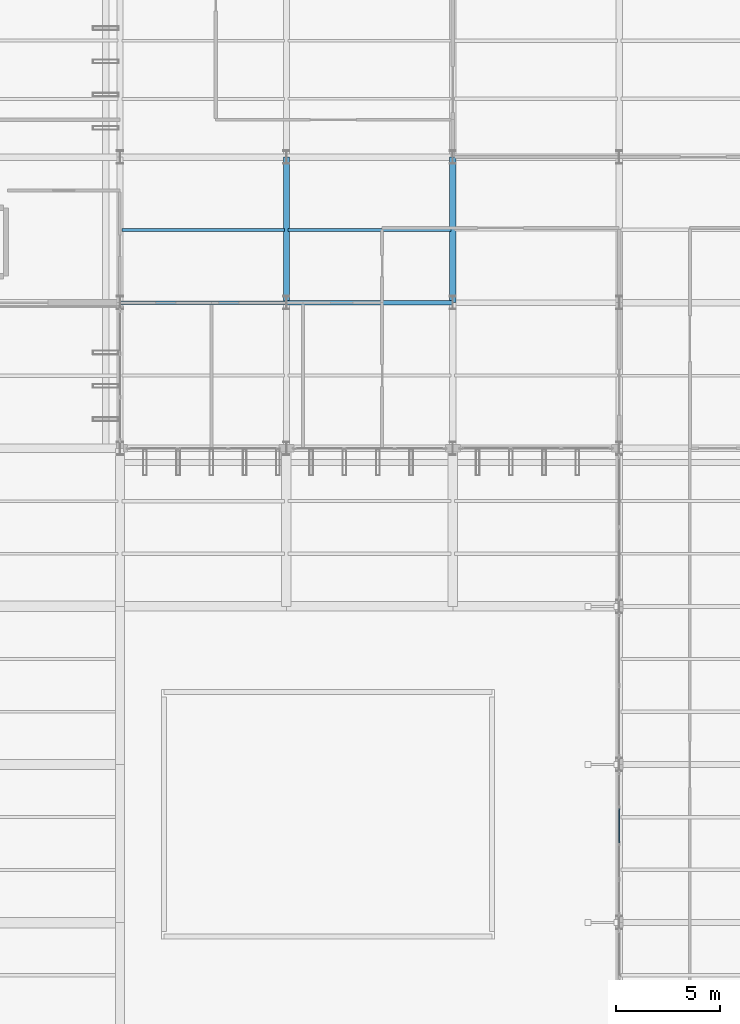
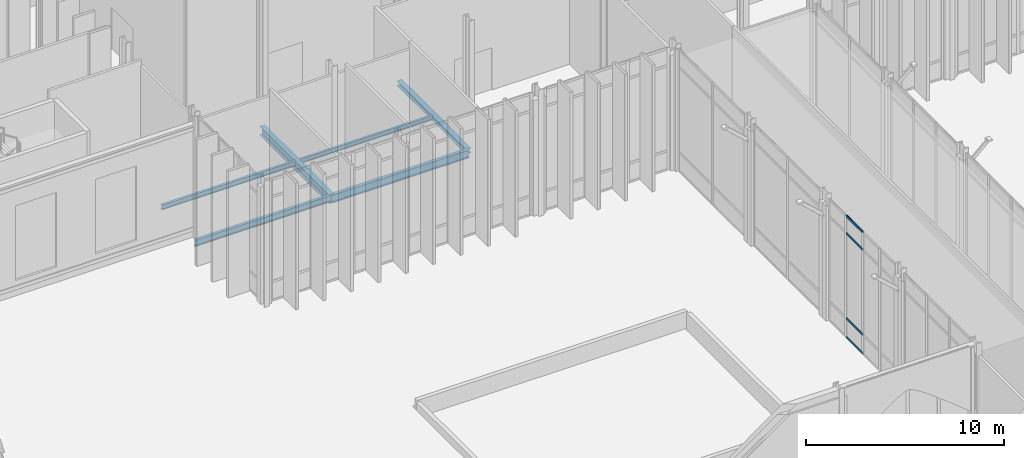
# One storey, part 44 of 176: 6 beams, 4 members, 1 element without a shape of its own.
"""IFC4 building model written with IfcOpenShell, lengths in metres."""

from ifc_helpers import new_model, si_unit, direction, frame, origin, origin_2d, place, context, subcontext, project, spatial, hollow_rectangle, i_section, extrude, material, layer, layer_set, material_profile, profile_set, type_object, element, aggregate, save


model = new_model("IFC4")

# Units and contexts
model_context = context("Model", 3, precision=1e-05, world=origin(), true_north=direction((0.0, 1.0)))
body_context = subcontext(model_context, "Body", "Model", "MODEL_VIEW")
ifc_project = project(units=[si_unit("LENGTHUNIT", "METRE"), si_unit("AREAUNIT", "SQUARE_METRE"), si_unit("VOLUMEUNIT", "CUBIC_METRE"), si_unit("PLANEANGLEUNIT", "RADIAN"), si_unit("MASSUNIT", "GRAM", prefix="KILO")], contexts=[model_context])

# Site, building, storey
site_placement = place(None, origin())
site = spatial("IfcSite", under=ifc_project, at=site_placement, CompositionType="ELEMENT")
building_placement = place(site_placement, origin())
building = spatial("IfcBuilding", under=site, at=building_placement, Name="Vekula Escarpment Museum", CompositionType="ELEMENT")
storey_placement = place(building_placement, origin())
storey = spatial("IfcBuildingStorey", under=building, at=storey_placement, Name="L01", CompositionType="ELEMENT", Elevation=0.0)

# Beams
ifc_material_1 = material(Name="Steel S355", Category="steel")
ifc_material_profile_1 = material_profile(ifc_material_1, i_section(OverallWidth=0.300048828125, OverallDepth=0.550048828125, WebThickness=0.014892578125, FlangeThickness=0.029052734375, FilletRadius=0.027099609375, at=origin_2d()), Name="HEB 550")
ifc_profile_set_1 = profile_set([ifc_material_profile_1], Name="Steel S355")
beam_type_1 = type_object("IfcBeamType", Name="BM-GIRD-HEB550", PredefinedType="BEAM", material=ifc_profile_set_1)
beam_1_placement = place(storey_placement, frame((78.0, 52.60009765625, -0.574951171875), z_axis=(0.0, 1.0, 0.0), x_axis=(-1.0, 0.0, 0.0)))
element("IfcBeam", 1, at=beam_1_placement, inside=storey, type_object=beam_type_1, Name="Beam Y L01 0556", PredefinedType="BEAM", context=body_context, shape_type="SweptSolid", body=[
    extrude(i_section(OverallWidth=0.300048828125, OverallDepth=0.550048828125, WebThickness=0.014892578125, FlangeThickness=0.029052734375, FilletRadius=0.027099609375, at=origin_2d()), origin(), (0.0, 0.0, 1.0), 7.0),
])
ifc_material_2 = material(Name="Steel S355", Category="steel")
ifc_material_profile_2 = material_profile(ifc_material_2, i_section(OverallWidth=0.179931640625, OverallDepth=0.39990234375, WebThickness=0.008544921875, FlangeThickness=0.013427734375, FilletRadius=0.02099609375, at=origin_2d()), Name="IPE 400")
ifc_profile_set_2 = profile_set([ifc_material_profile_2], Name="Steel S355")
beam_type_2 = type_object("IfcBeamType", Name="BM-GIRD-IPE400", PredefinedType="BEAM", material=ifc_profile_set_2)
beam_2_placement = place(storey_placement, frame((70.0, 52.60009765625, -0.5), z_axis=(1.0, 0.0, 0.0), x_axis=(0.0, 1.0, 0.0)))
element("IfcBeam", 2, at=beam_2_placement, inside=storey, type_object=beam_type_2, Name="Beam X L01 0146", PredefinedType="BEAM", context=body_context, shape_type="SweptSolid", body=[
    extrude(i_section(OverallWidth=0.179931640625, OverallDepth=0.39990234375, WebThickness=0.008544921875, FlangeThickness=0.013427734375, FilletRadius=0.02099609375, at=origin_2d()), origin(), (0.0, 0.0, 1.0), 8.0),
])
ifc_material_3 = material(Name="Steel S355", Category="steel")
ifc_material_profile_3 = material_profile(ifc_material_3, i_section(OverallWidth=0.199951171875, OverallDepth=0.5, WebThickness=0.01025390625, FlangeThickness=0.01611328125, FilletRadius=0.02099609375, at=origin_2d()), Name="IPE 500")
ifc_profile_set_3 = profile_set([ifc_material_profile_3], Name="Steel S355")
beam_type_3 = type_object("IfcBeamType", Name="BM-GIRD-IPE500", PredefinedType="BEAM", material=ifc_profile_set_3)
beam_3_placement = place(storey_placement, frame((78.0, 52.60009765625, -0.550048828125), z_axis=(1.0, 0.0, 0.0), x_axis=(0.0, 1.0, 0.0)))
element("IfcBeam", 3, at=beam_3_placement, inside=storey, type_object=beam_type_3, Name="Beam X L01 0147", PredefinedType="BEAM", context=body_context, shape_type="SweptSolid", body=[
    extrude(i_section(OverallWidth=0.199951171875, OverallDepth=0.5, WebThickness=0.01025390625, FlangeThickness=0.01611328125, FilletRadius=0.02099609375, at=origin_2d()), origin(), (0.0, 0.0, 1.0), 8.0),
])
ifc_material_4 = material(Name="Steel S355", Category="steel")
ifc_material_profile_4 = material_profile(ifc_material_4, i_section(OverallWidth=0.135009765625, OverallDepth=0.27001953125, WebThickness=0.006591796875, FlangeThickness=0.01025390625, FilletRadius=0.014892578125, at=origin_2d()), Name="IPE 270")
ifc_profile_set_4 = profile_set([ifc_material_profile_4], Name="Steel S355")
beam_type_4 = type_object("IfcBeamType", Name="BM-JST-IPE270", PredefinedType="JOIST", material=ifc_profile_set_4)
beam_4_placement = place(storey_placement, frame((78.090087890625, 56.10009765625, -0.43505859375), z_axis=(1.0, 0.0, 0.0), x_axis=(0.0, 1.0, 0.0)))
element("IfcBeam", 4, at=beam_4_placement, inside=storey, type_object=beam_type_4, Name="Secondary Joist L01 0258", PredefinedType="JOIST", context=body_context, shape_type="SweptSolid", body=[
    extrude(i_section(OverallWidth=0.135009765625, OverallDepth=0.27001953125, WebThickness=0.006591796875, FlangeThickness=0.01025390625, FilletRadius=0.014892578125, at=origin_2d()), origin(), (0.0, 0.0, 1.0), 7.81982421875),
])
ifc_material_5 = material(Name="Steel S355", Category="steel")
ifc_material_profile_5 = material_profile(ifc_material_5, i_section(OverallWidth=0.14990234375, OverallDepth=0.300048828125, WebThickness=0.007080078125, FlangeThickness=0.0107421875, FilletRadius=0.014892578125, at=origin_2d()), Name="IPE 300")
ifc_profile_set_5 = profile_set([ifc_material_profile_5], Name="Steel S355")
beam_type_5 = type_object("IfcBeamType", Name="BM-JST-IPE300", PredefinedType="JOIST", material=ifc_profile_set_5)
beam_5_placement = place(storey_placement, frame((70.090087890625, 56.10009765625, -0.449951171875), z_axis=(1.0, 0.0, 0.0), x_axis=(0.0, 1.0, 0.0)))
element("IfcBeam", 5, at=beam_5_placement, inside=storey, type_object=beam_type_5, Name="Secondary Joist L01 0239", PredefinedType="JOIST", context=body_context, shape_type="SweptSolid", body=[
    extrude(i_section(OverallWidth=0.14990234375, OverallDepth=0.300048828125, WebThickness=0.007080078125, FlangeThickness=0.0107421875, FilletRadius=0.014892578125, at=origin_2d()), origin(), (0.0, 0.0, 1.0), 7.81982421875),
])
ifc_material_6 = material(Name="Steel S355", Category="steel")
ifc_material_profile_6 = material_profile(ifc_material_6, i_section(OverallWidth=0.300048828125, OverallDepth=0.2900390625, WebThickness=0.008544921875, FlangeThickness=0.013916015625, FilletRadius=0.027099609375, at=origin_2d()), Name="HEA 300")
ifc_profile_set_6 = profile_set([ifc_material_profile_6], Name="Steel S355")
beam_type_6 = type_object("IfcBeamType", Name="BM-SPAN-HEA300", PredefinedType="SPANDREL", material=ifc_profile_set_6)
beam_6_placement = place(storey_placement, frame((86.0, 52.60009765625, -0.445068359375), z_axis=(0.0, 1.0, 0.0), x_axis=(-1.0, 0.0, 0.0)))
element("IfcBeam", 6, at=beam_6_placement, inside=storey, type_object=beam_type_6, Name="Beam Y L01 0568", PredefinedType="SPANDREL", context=body_context, shape_type="SweptSolid", body=[
    extrude(i_section(OverallWidth=0.300048828125, OverallDepth=0.2900390625, WebThickness=0.008544921875, FlangeThickness=0.013916015625, FilletRadius=0.027099609375, at=origin_2d()), origin(), (0.0, 0.0, 1.0), 7.0),
])

# Curtain wall, members
ifc_material_7 = material(Name="Aluminium thermally broken framing", Category="aluminium")
ifc_layer = layer(ifc_material_7, 0.14990234375)
ifc_layer_set = layer_set([ifc_layer], Name="Aluminium thermally broken framing")
curtain_wall_type = type_object("IfcCurtainWallType", Name="CW-SYS-09", PredefinedType="NOTDEFINED", material=ifc_layer_set)
curtain_wall_placement = place(storey_placement, origin())
curtain_wall = element("IfcCurtainWall", 7, at=curtain_wall_placement, inside=storey, type_object=curtain_wall_type, Name="Curtain Wall CW-L01-049", PredefinedType="NOTDEFINED")
ifc_material_8 = material(Name="Aluminium anodized transom", Category="aluminium")
ifc_material_profile_7 = material_profile(ifc_material_8, hollow_rectangle(XDim=0.06494140625, YDim=0.139892578125, WallThickness=0.00390625, InnerFilletRadius=0.00390625, OuterFilletRadius=0.008056640625, at=origin_2d()), Name="ALU 140x65x4")
ifc_profile_set_7 = profile_set([ifc_material_profile_7], Name="Aluminium anodized transom")
member_type = type_object("IfcMemberType", Name="CW-TRN-140", PredefinedType="USERDEFINED", material=ifc_profile_set_7)
member_1_placement = place(storey_placement, frame((94.0, 28.28759765625, 0.032470703125), z_axis=(0.0, -1.0, 0.0), x_axis=(1.0, 0.0, 0.0)))
member_1 = element("IfcMember", 8, at=member_1_placement, type_object=member_type, Name="CW-09 transom 2.1", ObjectType="TRANSOM", PredefinedType="USERDEFINED", context=body_context, shape_type="SweptSolid", body=[
    extrude(hollow_rectangle(XDim=0.06494140625, YDim=0.139892578125, WallThickness=0.00390625, InnerFilletRadius=0.00390625, OuterFilletRadius=0.008056640625, at=origin_2d()), origin(), (0.0, 0.0, 1.0), 1.655029296875),
])
member_2_placement = place(storey_placement, frame((94.0, 28.28759765625, 1.199951171875), z_axis=(0.0, -1.0, 0.0), x_axis=(1.0, 0.0, 0.0)))
member_2 = element("IfcMember", 9, at=member_2_placement, type_object=member_type, Name="CW-09 transom 2.2", ObjectType="TRANSOM", PredefinedType="USERDEFINED", context=body_context, shape_type="SweptSolid", body=[
    extrude(hollow_rectangle(XDim=0.06494140625, YDim=0.139892578125, WallThickness=0.00390625, InnerFilletRadius=0.00390625, OuterFilletRadius=0.008056640625, at=origin_2d()), origin(), (0.0, 0.0, 1.0), 1.655029296875),
])
member_3_placement = place(storey_placement, frame((94.0, 28.28759765625, 6.43994140625), z_axis=(0.0, -1.0, 0.0), x_axis=(1.0, 0.0, 0.0)))
member_3 = element("IfcMember", 10, at=member_3_placement, type_object=member_type, Name="CW-09 transom 2.3", ObjectType="TRANSOM", PredefinedType="USERDEFINED", context=body_context, shape_type="SweptSolid", body=[
    extrude(hollow_rectangle(XDim=0.06494140625, YDim=0.139892578125, WallThickness=0.00390625, InnerFilletRadius=0.00390625, OuterFilletRadius=0.008056640625, at=origin_2d()), origin(), (0.0, 0.0, 1.0), 1.655029296875),
])
member_4_placement = place(storey_placement, frame((94.0, 28.28759765625, 7.507568359375), z_axis=(0.0, -1.0, 0.0), x_axis=(1.0, 0.0, 0.0)))
member_4 = element("IfcMember", 11, at=member_4_placement, type_object=member_type, Name="CW-09 transom 2.4", ObjectType="TRANSOM", PredefinedType="USERDEFINED", context=body_context, shape_type="SweptSolid", body=[
    extrude(hollow_rectangle(XDim=0.06494140625, YDim=0.139892578125, WallThickness=0.00390625, InnerFilletRadius=0.00390625, OuterFilletRadius=0.008056640625, at=origin_2d()), origin(), (0.0, 0.0, 1.0), 1.655029296875),
])
aggregate(curtain_wall, [member_1, member_2, member_3, member_4])

save(model, "model.ifc")
